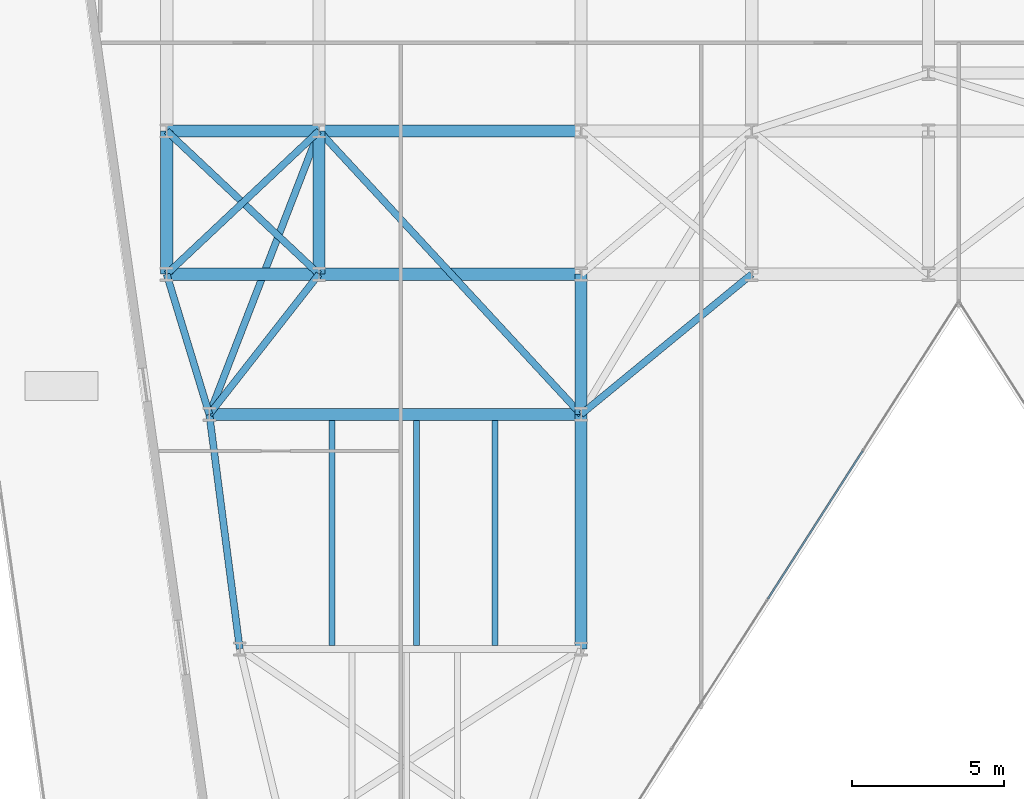
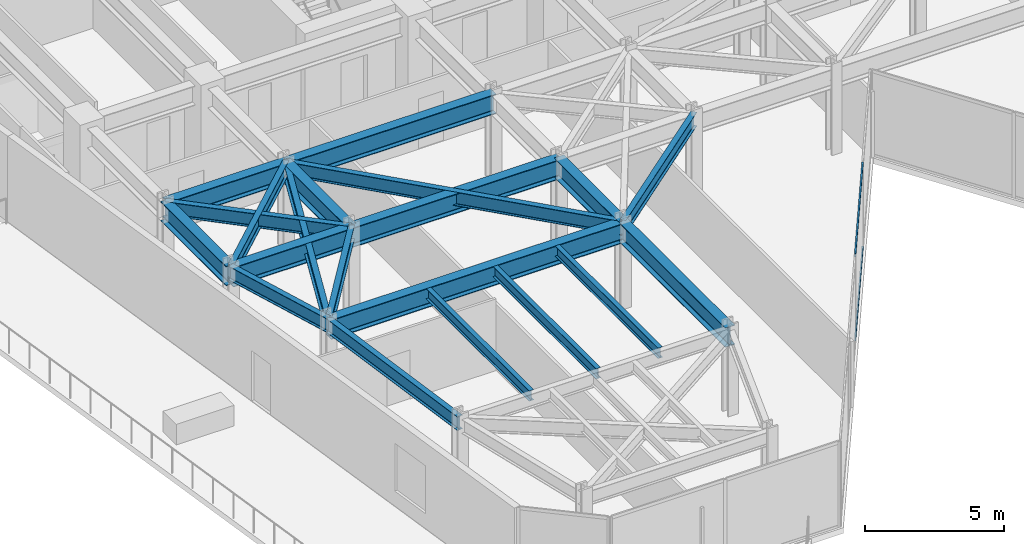
# One storey, part 5 of 24: 20 beams, 2 members, 1 element without a shape of its own.
"""IFC4 building model written with IfcOpenShell, lengths in metres."""

from ifc_helpers import new_model, si_unit, direction, frame, origin, origin_2d, place, context, subcontext, project, spatial, hollow_rectangle, i_section, extrude, material, layer, layer_set, material_profile, profile_set, type_object, element, aggregate, save


model = new_model("IFC4")

# Units and contexts
model_context = context("Model", 3, precision=1e-05, world=origin(), true_north=direction((0.0, 1.0)))
body_context = subcontext(model_context, "Body", "Model", "MODEL_VIEW")
ifc_project = project(units=[si_unit("LENGTHUNIT", "METRE"), si_unit("AREAUNIT", "SQUARE_METRE"), si_unit("VOLUMEUNIT", "CUBIC_METRE"), si_unit("PLANEANGLEUNIT", "RADIAN"), si_unit("MASSUNIT", "GRAM", prefix="KILO")], contexts=[model_context])

# Site, building, storey
site_placement = place(None, origin())
site = spatial("IfcSite", under=ifc_project, at=site_placement, CompositionType="ELEMENT")
building_placement = place(site_placement, origin())
building = spatial("IfcBuilding", under=site, at=building_placement, Name="Kravanh Interchange Tower", CompositionType="ELEMENT")
storey_placement = place(building_placement, frame((0.0, 0.0, 96.0)))
storey = spatial("IfcBuildingStorey", under=building, at=storey_placement, Name="L22", CompositionType="ELEMENT", Elevation=96.0)

# Curtain wall, members
ifc_material_1 = material(Name="Anodised Bronze Aluminium", Category="aluminium")
ifc_layer = layer(ifc_material_1, 0.179931640625)
ifc_layer_set = layer_set([ifc_layer], Name="Unitised Curtain Wall System CW-Z2 Mid Office")
curtain_wall_type = type_object("IfcCurtainWallType", Name="Unitised Curtain Wall System CW-Z2 Mid Office", PredefinedType="NOTDEFINED", material=ifc_layer_set)
curtain_wall_placement = place(storey_placement, origin())
curtain_wall = element("IfcCurtainWall", 1, at=curtain_wall_placement, inside=storey, type_object=curtain_wall_type, Name="L22 Unitised Curtain Wall CW-L22-05", PredefinedType="NOTDEFINED")
ifc_material_2 = material(Name="Anodised Bronze Aluminium", Category="aluminium")
ifc_material_profile_1 = material_profile(ifc_material_2, hollow_rectangle(XDim=0.06005859375, YDim=0.139892578125, WallThickness=0.00390625, at=origin_2d()), Name="ALU60X140X4")
ifc_profile_set_1 = profile_set([ifc_material_profile_1], Name="Anodised Bronze Aluminium")
member_type = type_object("IfcMemberType", Name="Curtain Wall Transom ALU60X140X4 Bronze", PredefinedType="USERDEFINED", material=ifc_profile_set_1)
member_1_placement = place(storey_placement, frame((36.4423828125, 20.99658203125, 0.030029296875), z_axis=(-0.539647630778, -0.841890987359, 0.0), x_axis=(0.841890987359, -0.539647630778, 0.0)))
member_1 = element("IfcMember", 2, at=member_1_placement, type_object=member_type, Name="CW-Z2 transom 2.1", ObjectType="TRANSOM", PredefinedType="USERDEFINED", context=body_context, shape_type="SweptSolid", body=[
    extrude(hollow_rectangle(XDim=0.06005859375, YDim=0.139892578125, WallThickness=0.00390625, at=origin_2d()), origin(), (0.0, 0.0, 1.0), 5.760986328125),
])
member_2_placement = place(storey_placement, frame((36.4423828125, 20.99658203125, 3.719970703125), z_axis=(-0.539647630778, -0.841890987359, 0.0), x_axis=(0.841890987359, -0.539647630778, 0.0)))
member_2 = element("IfcMember", 3, at=member_2_placement, type_object=member_type, Name="CW-Z2 transom 2.2", ObjectType="TRANSOM", PredefinedType="USERDEFINED", context=body_context, shape_type="SweptSolid", body=[
    extrude(hollow_rectangle(XDim=0.06005859375, YDim=0.139892578125, WallThickness=0.00390625, at=origin_2d()), origin(), (0.0, 0.0, 1.0), 5.760986328125),
])
aggregate(curtain_wall, [member_1, member_2])

# Beams
ifc_material_3 = material(Name="Structural Steel S355", Category="steel")
ifc_material_profile_2 = material_profile(ifc_material_3, i_section(OverallWidth=0.39990234375, OverallDepth=0.85595703125, WebThickness=0.018310546875, FlangeThickness=0.029296875, FilletRadius=0.02490234375, at=origin_2d()), Name="W33X201")
ifc_profile_set_2 = profile_set([ifc_material_profile_2], Name="Structural Steel S355")
beam_type_1 = type_object("IfcBeamType", Name="Floor Beam W33X201 Structural Steel S355", PredefinedType="BEAM", material=ifc_profile_set_2)
beam_1_placement = place(storey_placement, frame((13.60009765625, 26.800048828125, 3.322021484375), z_axis=(0.0, 1.0, 0.0), x_axis=(-1.0, 0.0, 0.0)))
element("IfcBeam", 4, at=beam_1_placement, inside=storey, type_object=beam_type_1, Name="L22 Primary Floor Girder 37", PredefinedType="BEAM", context=body_context, shape_type="SweptSolid", body=[
    extrude(i_section(OverallWidth=0.39990234375, OverallDepth=0.85595703125, WebThickness=0.018310546875, FlangeThickness=0.029296875, FilletRadius=0.02490234375, at=origin_2d()), origin(), (0.0, 0.0, 1.0), 4.699951171875),
])
beam_2_placement = place(storey_placement, frame((13.60009765625, 26.800048828125, 3.322021484375), z_axis=(1.0, 0.0, 0.0), x_axis=(0.0, 1.0, 0.0)))
element("IfcBeam", 5, at=beam_2_placement, inside=storey, type_object=beam_type_1, Name="L22 Primary Floor Girder 39", PredefinedType="BEAM", context=body_context, shape_type="SweptSolid", body=[
    extrude(i_section(OverallWidth=0.39990234375, OverallDepth=0.85595703125, WebThickness=0.018310546875, FlangeThickness=0.029296875, FilletRadius=0.02490234375, at=origin_2d()), origin(), (0.0, 0.0, 1.0), 5.0),
])
beam_3_placement = place(storey_placement, frame((18.60009765625, 26.800048828125, 3.322021484375), z_axis=(0.0, 1.0, 0.0), x_axis=(-1.0, 0.0, 0.0)))
element("IfcBeam", 6, at=beam_3_placement, inside=storey, type_object=beam_type_1, Name="L22 Primary Floor Girder 41", PredefinedType="BEAM", context=body_context, shape_type="SweptSolid", body=[
    extrude(i_section(OverallWidth=0.39990234375, OverallDepth=0.85595703125, WebThickness=0.018310546875, FlangeThickness=0.029296875, FilletRadius=0.02490234375, at=origin_2d()), origin(), (0.0, 0.0, 1.0), 4.699951171875),
])
beam_4_placement = place(storey_placement, frame((18.60009765625, 26.800048828125, 3.322021484375), z_axis=(1.0, 0.0, 0.0), x_axis=(0.0, 1.0, 0.0)))
element("IfcBeam", 7, at=beam_4_placement, inside=storey, type_object=beam_type_1, Name="L22 Primary Floor Girder 44", PredefinedType="BEAM", context=body_context, shape_type="SweptSolid", body=[
    extrude(i_section(OverallWidth=0.39990234375, OverallDepth=0.85595703125, WebThickness=0.018310546875, FlangeThickness=0.029296875, FilletRadius=0.02490234375, at=origin_2d()), origin(), (0.0, 0.0, 1.0), 8.599853515625),
])
beam_5_placement = place(storey_placement, frame((27.199951171875, 26.800048828125, 3.322021484375), z_axis=(0.0, -1.0, 0.0), x_axis=(1.0, 0.0, 0.0)))
element("IfcBeam", 8, at=beam_5_placement, inside=storey, type_object=beam_type_1, Name="L22 Primary Floor Girder 45", PredefinedType="BEAM", context=body_context, shape_type="SweptSolid", body=[
    extrude(i_section(OverallWidth=0.39990234375, OverallDepth=0.85595703125, WebThickness=0.018310546875, FlangeThickness=0.029296875, FilletRadius=0.02490234375, at=origin_2d()), origin(), (0.0, 0.0, 1.0), 4.60009765625),
])
beam_6_placement = place(storey_placement, frame((13.60009765625, 31.5, 3.322021484375), z_axis=(1.0, 0.0, 0.0), x_axis=(0.0, 1.0, 0.0)))
element("IfcBeam", 9, at=beam_6_placement, inside=storey, type_object=beam_type_1, Name="L22 Primary Floor Girder 69", PredefinedType="BEAM", context=body_context, shape_type="SweptSolid", body=[
    extrude(i_section(OverallWidth=0.39990234375, OverallDepth=0.85595703125, WebThickness=0.018310546875, FlangeThickness=0.029296875, FilletRadius=0.02490234375, at=origin_2d()), origin(), (0.0, 0.0, 1.0), 5.0),
])
beam_7_placement = place(storey_placement, frame((18.60009765625, 31.5, 3.322021484375), z_axis=(1.0, 0.0, 0.0), x_axis=(0.0, 1.0, 0.0)))
element("IfcBeam", 10, at=beam_7_placement, inside=storey, type_object=beam_type_1, Name="L22 Primary Floor Girder 71", PredefinedType="BEAM", context=body_context, shape_type="SweptSolid", body=[
    extrude(i_section(OverallWidth=0.39990234375, OverallDepth=0.85595703125, WebThickness=0.018310546875, FlangeThickness=0.029296875, FilletRadius=0.02490234375, at=origin_2d()), origin(), (0.0, 0.0, 1.0), 8.599853515625),
])
beam_8_placement = place(storey_placement, frame((27.199951171875, 14.5, 3.322021484375), z_axis=(0.0, 1.0, 0.0), x_axis=(-1.0, 0.0, 0.0)))
element("IfcBeam", 11, at=beam_8_placement, inside=storey, type_object=beam_type_1, Name="L22 Primary Floor Girder 102", PredefinedType="BEAM", context=body_context, shape_type="SweptSolid", body=[
    extrude(i_section(OverallWidth=0.39990234375, OverallDepth=0.85595703125, WebThickness=0.018310546875, FlangeThickness=0.029296875, FilletRadius=0.02490234375, at=origin_2d()), origin(), (0.0, 0.0, 1.0), 7.699951171875),
])
beam_9_placement = place(storey_placement, frame((15.0, 22.199951171875, 3.322021484375), z_axis=(1.0, 0.0, 0.0), x_axis=(0.0, 1.0, 0.0)))
element("IfcBeam", 12, at=beam_9_placement, inside=storey, type_object=beam_type_1, Name="L22 Primary Floor Girder 108", PredefinedType="BEAM", context=body_context, shape_type="SweptSolid", body=[
    extrude(i_section(OverallWidth=0.39990234375, OverallDepth=0.85595703125, WebThickness=0.018310546875, FlangeThickness=0.029296875, FilletRadius=0.02490234375, at=origin_2d()), origin(), (0.0, 0.0, 1.0), 12.199951171875),
])
ifc_material_4 = material(Name="Structural Steel S355", Category="steel")
ifc_material_profile_3 = material_profile(ifc_material_4, i_section(OverallWidth=0.18994140625, OverallDepth=0.45703125, WebThickness=0.009033203125, FlangeThickness=0.014404296875, FilletRadius=0.01806640625, at=origin_2d()), Name="W18X50")
ifc_profile_set_3 = profile_set([ifc_material_profile_3], Name="Structural Steel S355")
beam_type_2 = type_object("IfcBeamType", Name="Floor Joist W18X50 Structural Steel S355", PredefinedType="JOIST", material=ifc_profile_set_3)
for number, where, z_axis, x_axis, name in (
    (13, (19.02587890625, 14.60888671875, 3.521484375), (0.0, 1.0, 0.0), (-1.0, 0.0, 0.0), "L22 Secondary Floor Joist 7"),
    (14, (21.798095703125, 14.60888671875, 3.521484375), (0.0, 1.0, 0.0), (-1.0, 0.0, 0.0), "L22 Secondary Floor Joist 8"),
    (15, (24.3720703125, 14.60888671875, 3.521484375), (0.0, 1.0, 0.0), (-1.0, 0.0, 0.0), "L22 Secondary Floor Joist 9"),
):
    element("IfcBeam", number, at=place(storey_placement, frame(where, z_axis=z_axis, x_axis=x_axis)), inside=storey, type_object=beam_type_2, Name=name, PredefinedType="JOIST", context=body_context, shape_type="SweptSolid", body=[
        extrude(i_section(OverallWidth=0.18994140625, OverallDepth=0.45703125, WebThickness=0.009033203125, FlangeThickness=0.014404296875, FilletRadius=0.01806640625, at=origin_2d()), origin(), (0.0, 0.0, 1.0), 7.39599609375),
    ])
ifc_material_5 = material(Name="Structural Steel S355", Category="steel")
ifc_material_profile_4 = material_profile(ifc_material_5, i_section(OverallWidth=0.22802734375, OverallDepth=0.60791015625, WebThickness=0.01123046875, FlangeThickness=0.017333984375, FilletRadius=0.02197265625, at=origin_2d()), Name="W24X76")
ifc_profile_set_4 = profile_set([ifc_material_profile_4], Name="Structural Steel S355")
beam_type_3 = type_object("IfcBeamType", Name="Floor Spandrel W24X76 Structural Steel S355", PredefinedType="SPANDREL", material=ifc_profile_set_4)
beam_10_placement = place(storey_placement, frame((13.60009765625, 26.800048828125, 3.446044921875), z_axis=(0.291137370727, -0.956681259023, 0.0), x_axis=(0.956681259023, 0.291137370727, 0.0)))
element("IfcBeam", 16, at=beam_10_placement, inside=storey, type_object=beam_type_3, Name="L22 Perimeter Spandrel 38", PredefinedType="SPANDREL", context=body_context, shape_type="SweptSolid", body=[
    extrude(i_section(OverallWidth=0.22802734375, OverallDepth=0.60791015625, WebThickness=0.01123046875, FlangeThickness=0.017333984375, FilletRadius=0.02197265625, at=origin_2d()), origin(), (0.0, 0.0, 1.0), 4.808349609375),
])
beam_11_placement = place(storey_placement, frame((13.60009765625, 26.800048828125, 3.446044921875), z_axis=(0.728631219862, 0.684906231131, 0.0), x_axis=(-0.684906231131, 0.728631219862, 0.0)))
element("IfcBeam", 17, at=beam_11_placement, inside=storey, type_object=beam_type_3, Name="L22 Perimeter Spandrel 40", PredefinedType="SPANDREL", context=body_context, shape_type="SweptSolid", body=[
    extrude(i_section(OverallWidth=0.22802734375, OverallDepth=0.60791015625, WebThickness=0.01123046875, FlangeThickness=0.017333984375, FilletRadius=0.02197265625, at=origin_2d()), origin(), (0.0, 0.0, 1.0), 6.862060546875),
])
beam_12_placement = place(storey_placement, frame((18.60009765625, 26.800048828125, 3.446044921875), z_axis=(-0.616310515553, -0.787503237085, 0.0), x_axis=(0.787503237085, -0.616310515553, 0.0)))
element("IfcBeam", 18, at=beam_12_placement, inside=storey, type_object=beam_type_3, Name="L22 Perimeter Spandrel 42", PredefinedType="SPANDREL", context=body_context, shape_type="SweptSolid", body=[
    extrude(i_section(OverallWidth=0.22802734375, OverallDepth=0.60791015625, WebThickness=0.01123046875, FlangeThickness=0.017333984375, FilletRadius=0.02197265625, at=origin_2d()), origin(), (0.0, 0.0, 1.0), 5.84130859375),
])
beam_13_placement = place(storey_placement, frame((18.60009765625, 26.800048828125, 3.446044921875), z_axis=(-0.728631219862, 0.684906231131, 0.0), x_axis=(-0.684906231131, -0.728631219862, 0.0)))
element("IfcBeam", 19, at=beam_13_placement, inside=storey, type_object=beam_type_3, Name="L22 Perimeter Spandrel 43", PredefinedType="SPANDREL", context=body_context, shape_type="SweptSolid", body=[
    extrude(i_section(OverallWidth=0.22802734375, OverallDepth=0.60791015625, WebThickness=0.01123046875, FlangeThickness=0.017333984375, FilletRadius=0.02197265625, at=origin_2d()), origin(), (0.0, 0.0, 1.0), 6.862060546875),
])
beam_14_placement = place(storey_placement, frame((32.800048828125, 26.800048828125, 3.446044921875), z_axis=(-0.772725074305, -0.634740860147, 0.0), x_axis=(0.634740860147, -0.772725074305, 0.0)))
element("IfcBeam", 20, at=beam_14_placement, inside=storey, type_object=beam_type_3, Name="L22 Perimeter Spandrel 51", PredefinedType="SPANDREL", context=body_context, shape_type="SweptSolid", body=[
    extrude(i_section(OverallWidth=0.22802734375, OverallDepth=0.60791015625, WebThickness=0.01123046875, FlangeThickness=0.017333984375, FilletRadius=0.02197265625, at=origin_2d()), origin(), (0.0, 0.0, 1.0), 7.247314453125),
])
beam_15_placement = place(storey_placement, frame((18.60009765625, 31.5, 3.446044921875), z_axis=(-0.3610009706, -0.932565439648, 0.0), x_axis=(0.932565439648, -0.3610009706, 0.0)))
element("IfcBeam", 21, at=beam_15_placement, inside=storey, type_object=beam_type_3, Name="L22 Perimeter Spandrel 72", PredefinedType="SPANDREL", context=body_context, shape_type="SweptSolid", body=[
    extrude(i_section(OverallWidth=0.22802734375, OverallDepth=0.60791015625, WebThickness=0.01123046875, FlangeThickness=0.017333984375, FilletRadius=0.02197265625, at=origin_2d()), origin(), (0.0, 0.0, 1.0), 9.97265625),
])
beam_16_placement = place(storey_placement, frame((18.60009765625, 31.5, 3.446044921875), z_axis=(0.678927458783, -0.734205356634, 0.0), x_axis=(0.734205356634, 0.678927458783, 0.0)))
element("IfcBeam", 22, at=beam_16_placement, inside=storey, type_object=beam_type_3, Name="L22 Perimeter Spandrel 73", PredefinedType="SPANDREL", context=body_context, shape_type="SweptSolid", body=[
    extrude(i_section(OverallWidth=0.22802734375, OverallDepth=0.60791015625, WebThickness=0.01123046875, FlangeThickness=0.017333984375, FilletRadius=0.02197265625, at=origin_2d()), origin(), (0.0, 0.0, 1.0), 12.666748046875),
])
beam_17_placement = place(storey_placement, frame((16.0, 14.5, 3.446044921875), z_axis=(-0.128789384125, 0.99167196922, 0.0), x_axis=(-0.99167196922, -0.128789384125, 0.0)))
element("IfcBeam", 23, at=beam_17_placement, inside=storey, type_object=beam_type_3, Name="L22 Perimeter Spandrel 100", PredefinedType="SPANDREL", context=body_context, shape_type="SweptSolid", body=[
    extrude(i_section(OverallWidth=0.22802734375, OverallDepth=0.60791015625, WebThickness=0.01123046875, FlangeThickness=0.017333984375, FilletRadius=0.02197265625, at=origin_2d()), origin(), (0.0, 0.0, 1.0), 7.7646484375),
])

save(model, "model.ifc")
